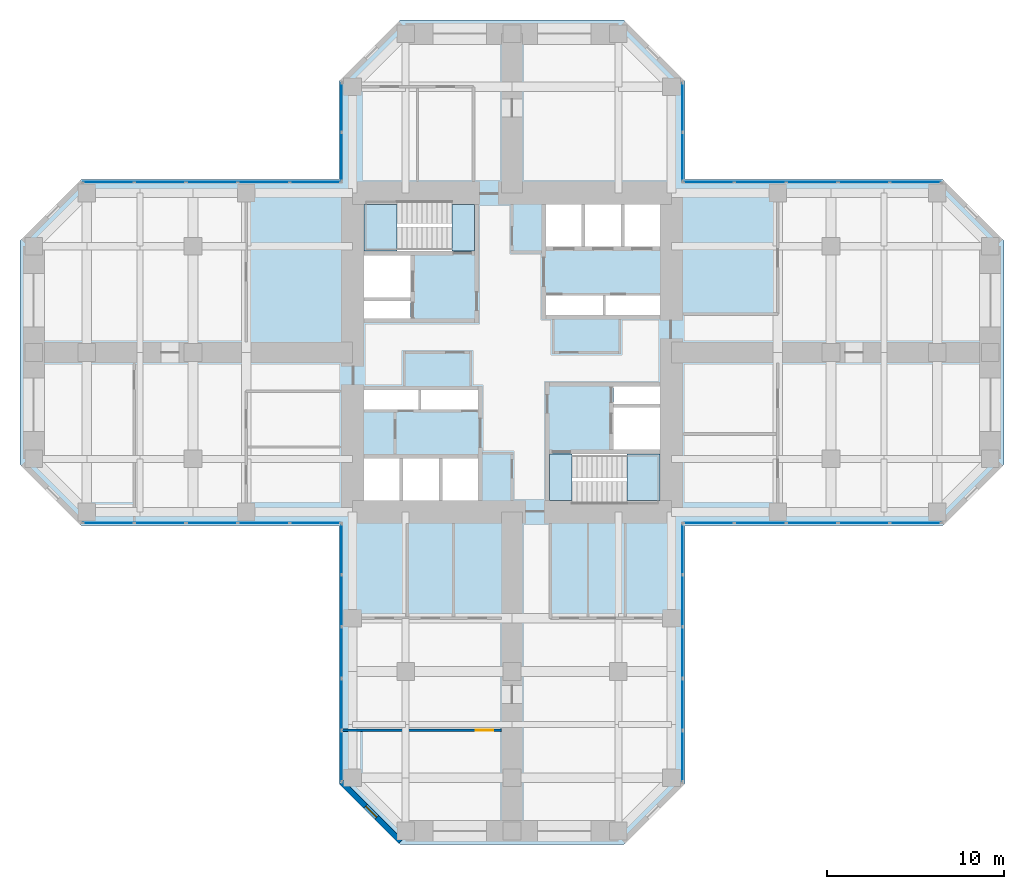
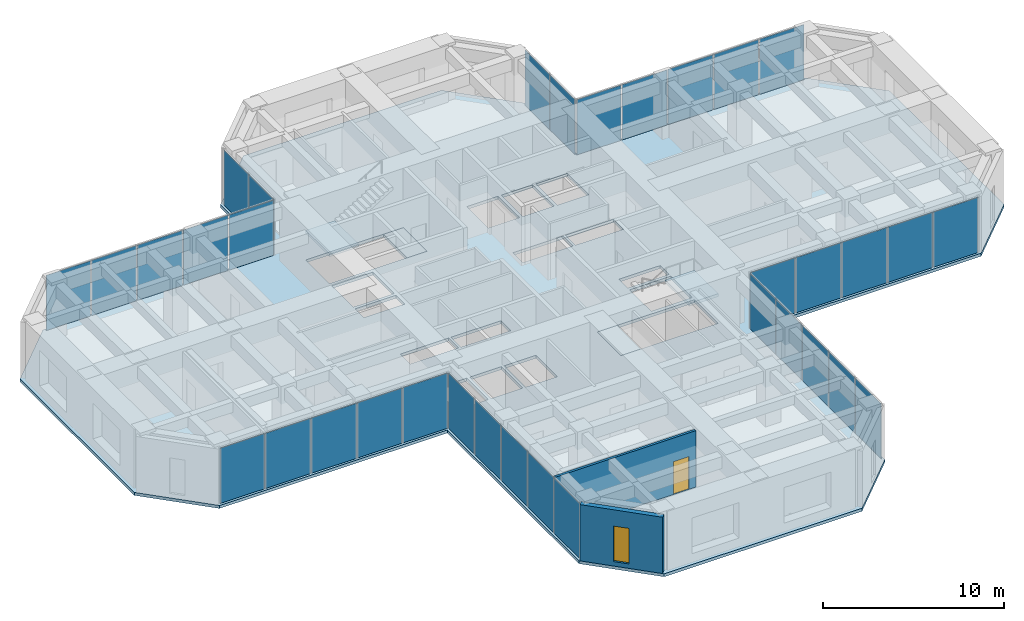
# One storey, part 7 of 12: 34 plates, 5 slabs, 2 walls, 1 door, 1 window, 2 openings, 10 elements without a shape of their own.
"""IFC4 building model written with IfcOpenShell, lengths in metres."""

from ifc_helpers import new_model, si_unit, direction, frame, frame_2d, origin, origin_2d, place, context, subcontext, project, spatial, polyline, rectangle, hollow_rectangle, outline, extrude, material, layer, layer_set, constituent, constituent_set, type_object, element, fill, aggregate, save


model = new_model("IFC4")

# Units and contexts
model_context = context("Model", 3, precision=1e-05, world=origin(), true_north=direction((0.0, 1.0)))
body_context = subcontext(model_context, "Body", "Model", "MODEL_VIEW")
ifc_project = project(units=[si_unit("LENGTHUNIT", "METRE"), si_unit("AREAUNIT", "SQUARE_METRE"), si_unit("VOLUMEUNIT", "CUBIC_METRE"), si_unit("PLANEANGLEUNIT", "RADIAN"), si_unit("MASSUNIT", "GRAM", prefix="KILO")], contexts=[model_context])

# Site, building, storey
site_placement = place(None, origin())
site = spatial("IfcSite", under=ifc_project, at=site_placement, CompositionType="ELEMENT")
building_placement = place(site_placement, origin())
building = spatial("IfcBuilding", under=site, at=building_placement, Name="Torre Cruceta", CompositionType="ELEMENT")
storey_placement = place(building_placement, frame((0.0, 0.0, 140.5)))
storey = spatial("IfcBuildingStorey", under=building, at=storey_placement, Name="L34", CompositionType="ELEMENT", Elevation=140.5)

# Curtain wall, plate
ifc_material_1 = material(Name="Aluminium unitised curtain wall", Category="aluminium")
curtain_wall_type = type_object("IfcCurtainWallType", Name="CURTAIN WALL CW-B OFFICE MID RISE", PredefinedType="USERDEFINED", material=ifc_material_1)
curtain_wall_1_placement = place(storey_placement, origin())
curtain_wall_1 = element("IfcCurtainWall", 1, at=curtain_wall_1_placement, inside=storey, type_object=curtain_wall_type, Name="CW-B L34 E side 00", ObjectType="UNITISED", PredefinedType="USERDEFINED")
ifc_material_2 = material(Name="Laminated insulating glass unit, low-iron clear", Category="glass")
ifc_material_3 = material(Name="Laminated insulating glass unit, diagonal frit 50 %", Category="glass")
ifc_layer_1 = layer(ifc_material_3, 0.031982421875)
ifc_layer_set_1 = layer_set([ifc_layer_1], Name="Laminated insulating glass unit, diagonal frit 50 %")
plate_type_1 = type_object("IfcPlateType", Name="CW-B OPERABLE VENT PANEL 32", PredefinedType="CURTAIN_PANEL", material=ifc_layer_set_1)
plate_1_placement = place(storey_placement, frame((16.9384765625, -9.6201171875, 0.010009765625), z_axis=(0.0, 0.0, 1.0), x_axis=(1.0, 0.0, 0.0)))
plate_1 = element("IfcPlate", 2, at=plate_1_placement, type_object=plate_type_1, material=ifc_material_2, Name="CW-B vent 3", PredefinedType="CURTAIN_PANEL", context=body_context, shape_type="SweptSolid", body=[
    extrude(rectangle(XDim=2.8623046875, YDim=0.031982421875, at=origin_2d()), origin(), (0.0, 0.0, 1.0), 3.72509765625),
])

curtain_wall_2_placement = place(storey_placement, origin())
curtain_wall_2 = element("IfcCurtainWall", 3, at=curtain_wall_2_placement, inside=storey, type_object=curtain_wall_type, Name="CW-B L34 E side 04", ObjectType="UNITISED", PredefinedType="USERDEFINED")
plate_2_placement = place(storey_placement, frame((16.9384765625, 9.6201171875, 0.010009765625), z_axis=(0.0, 0.0, 1.0), x_axis=(-1.0, 0.0, 0.0)))
plate_2 = element("IfcPlate", 4, at=plate_2_placement, type_object=plate_type_1, material=ifc_material_2, Name="CW-B vent 3", PredefinedType="CURTAIN_PANEL", context=body_context, shape_type="SweptSolid", body=[
    extrude(rectangle(XDim=2.8623046875, YDim=0.031982421875, at=origin_2d()), origin(), (0.0, 0.0, 1.0), 3.72509765625),
])

curtain_wall_3_placement = place(storey_placement, origin())
curtain_wall_3 = element("IfcCurtainWall", 5, at=curtain_wall_3_placement, inside=storey, type_object=curtain_wall_type, Name="CW-B L34 W side 10", ObjectType="UNITISED", PredefinedType="USERDEFINED")
plate_3_placement = place(storey_placement, frame((-16.9384765625, 9.6201171875, 0.010009765625), z_axis=(0.0, 0.0, 1.0), x_axis=(-1.0, 0.0, 0.0)))
plate_3 = element("IfcPlate", 6, at=plate_3_placement, type_object=plate_type_1, material=ifc_material_2, Name="CW-B vent 3", PredefinedType="CURTAIN_PANEL", context=body_context, shape_type="SweptSolid", body=[
    extrude(rectangle(XDim=2.8623046875, YDim=0.031982421875, at=origin_2d()), origin(), (0.0, 0.0, 1.0), 3.72509765625),
])

curtain_wall_4_placement = place(storey_placement, origin())
curtain_wall_4 = element("IfcCurtainWall", 7, at=curtain_wall_4_placement, inside=storey, type_object=curtain_wall_type, Name="CW-B L34 W side 14", ObjectType="UNITISED", PredefinedType="USERDEFINED")
plate_4_placement = place(storey_placement, frame((-16.9384765625, -9.6201171875, 0.010009765625), z_axis=(0.0, 0.0, 1.0), x_axis=(1.0, 0.0, 0.0)))
plate_4 = element("IfcPlate", 8, at=plate_4_placement, type_object=plate_type_1, material=ifc_material_2, Name="CW-B vent 3", PredefinedType="CURTAIN_PANEL", context=body_context, shape_type="SweptSolid", body=[
    extrude(rectangle(XDim=2.8623046875, YDim=0.031982421875, at=origin_2d()), origin(), (0.0, 0.0, 1.0), 3.72509765625),
])

curtain_wall_5_placement = place(storey_placement, origin())
curtain_wall_5 = element("IfcCurtainWall", 9, at=curtain_wall_5_placement, inside=storey, type_object=curtain_wall_type, Name="CW-B L34 S side 15", ObjectType="UNITISED", PredefinedType="USERDEFINED")
plate_5_placement = place(storey_placement, frame((-9.6201171875, -16.9384765625, 0.010009765625), z_axis=(0.0, 0.0, 1.0), x_axis=(0.0, -1.0, 0.0)))
plate_5 = element("IfcPlate", 10, at=plate_5_placement, type_object=plate_type_1, material=ifc_material_2, Name="CW-B vent 3", PredefinedType="CURTAIN_PANEL", context=body_context, shape_type="SweptSolid", body=[
    extrude(rectangle(XDim=2.8623046875, YDim=0.031982421875, at=origin_2d()), origin(), (0.0, 0.0, 1.0), 3.72509765625),
])

curtain_wall_6_placement = place(storey_placement, origin())
curtain_wall_6 = element("IfcCurtainWall", 11, at=curtain_wall_6_placement, inside=storey, type_object=curtain_wall_type, Name="CW-B L34 S side 19", ObjectType="UNITISED", PredefinedType="USERDEFINED")
plate_6_placement = place(storey_placement, frame((9.6201171875, -16.9384765625, 0.010009765625), z_axis=(0.0, 0.0, 1.0), x_axis=(0.0, 1.0, 0.0)))
plate_6 = element("IfcPlate", 12, at=plate_6_placement, type_object=plate_type_1, material=ifc_material_2, Name="CW-B vent 3", PredefinedType="CURTAIN_PANEL", context=body_context, shape_type="SweptSolid", body=[
    extrude(rectangle(XDim=2.8623046875, YDim=0.031982421875, at=origin_2d()), origin(), (0.0, 0.0, 1.0), 3.72509765625),
])

# Plate
ifc_material_4 = material(Name="Laminated insulating glass unit, diagonal frit 50 %", Category="glass")
ifc_material_5 = material(Name="Laminated insulating glass unit, diagonal frit 50 %", Category="glass")
ifc_layer_2 = layer(ifc_material_5, 0.031982421875)
ifc_layer_set_2 = layer_set([ifc_layer_2], Name="Laminated insulating glass unit, diagonal frit 50 %")
plate_type_2 = type_object("IfcPlateType", Name="CW-B PANEL 32", PredefinedType="CURTAIN_PANEL", material=ifc_layer_set_2)
plate_7_placement = place(storey_placement, frame((11.099853515625, -9.6201171875, 0.010009765625), z_axis=(0.0, 0.0, 1.0), x_axis=(1.0, 0.0, 0.0)))
plate_7 = element("IfcPlate", 13, at=plate_7_placement, type_object=plate_type_2, material=ifc_material_4, Name="CW-B panel 1", PredefinedType="CURTAIN_PANEL", context=body_context, shape_type="SweptSolid", body=[
    extrude(rectangle(XDim=2.829833984375, YDim=0.031982421875, at=origin_2d()), origin(), (0.0, 0.0, 1.0), 3.72509765625),
])

plate_8_placement = place(storey_placement, frame((14.010986328125, -9.6201171875, 0.010009765625), z_axis=(0.0, 0.0, 1.0), x_axis=(1.0, 0.0, 0.0)))
plate_8 = element("IfcPlate", 14, at=plate_8_placement, type_object=plate_type_2, material=ifc_material_4, Name="CW-B panel 2", PredefinedType="CURTAIN_PANEL", context=body_context, shape_type="SweptSolid", body=[
    extrude(rectangle(XDim=2.8623046875, YDim=0.031982421875, at=origin_2d()), origin(), (0.0, 0.0, 1.0), 3.72509765625),
])

plate_9_placement = place(storey_placement, frame((19.86572265625, -9.6201171875, 0.010009765625), z_axis=(0.0, 0.0, 1.0), x_axis=(1.0, 0.0, 0.0)))
plate_9 = element("IfcPlate", 15, at=plate_9_placement, type_object=plate_type_2, material=ifc_material_2, Name="CW-B panel 4", PredefinedType="CURTAIN_PANEL", context=body_context, shape_type="SweptSolid", body=[
    extrude(rectangle(XDim=2.8623046875, YDim=0.031982421875, at=origin_2d()), origin(), (0.0, 0.0, 1.0), 3.72509765625),
])

plate_10_placement = place(storey_placement, frame((22.77685546875, -9.6201171875, 0.010009765625), z_axis=(0.0, 0.0, 1.0), x_axis=(1.0, 0.0, 0.0)))
plate_10 = element("IfcPlate", 16, at=plate_10_placement, type_object=plate_type_2, material=ifc_material_4, Name="CW-B panel 5", PredefinedType="CURTAIN_PANEL", context=body_context, shape_type="SweptSolid", body=[
    extrude(rectangle(XDim=2.829833984375, YDim=0.031982421875, at=origin_2d()), origin(), (0.0, 0.0, 1.0), 3.72509765625),
])

aggregate(curtain_wall_1, [plate_7, plate_8, plate_1, plate_9, plate_10])

plate_11_placement = place(storey_placement, frame((22.77685546875, 9.6201171875, 0.010009765625), z_axis=(0.0, 0.0, 1.0), x_axis=(-1.0, 0.0, 0.0)))
plate_11 = element("IfcPlate", 17, at=plate_11_placement, type_object=plate_type_2, material=ifc_material_4, Name="CW-B panel 1", PredefinedType="CURTAIN_PANEL", context=body_context, shape_type="SweptSolid", body=[
    extrude(rectangle(XDim=2.829833984375, YDim=0.031982421875, at=origin_2d()), origin(), (0.0, 0.0, 1.0), 3.72509765625),
])

plate_12_placement = place(storey_placement, frame((19.86572265625, 9.6201171875, 0.010009765625), z_axis=(0.0, 0.0, 1.0), x_axis=(-1.0, 0.0, 0.0)))
plate_12 = element("IfcPlate", 18, at=plate_12_placement, type_object=plate_type_2, material=ifc_material_4, Name="CW-B panel 2", PredefinedType="CURTAIN_PANEL", context=body_context, shape_type="SweptSolid", body=[
    extrude(rectangle(XDim=2.8623046875, YDim=0.031982421875, at=origin_2d()), origin(), (0.0, 0.0, 1.0), 3.72509765625),
])

plate_13_placement = place(storey_placement, frame((14.010986328125, 9.6201171875, 0.010009765625), z_axis=(0.0, 0.0, 1.0), x_axis=(-1.0, 0.0, 0.0)))
plate_13 = element("IfcPlate", 19, at=plate_13_placement, type_object=plate_type_2, material=ifc_material_2, Name="CW-B panel 4", PredefinedType="CURTAIN_PANEL", context=body_context, shape_type="SweptSolid", body=[
    extrude(rectangle(XDim=2.8623046875, YDim=0.031982421875, at=origin_2d()), origin(), (0.0, 0.0, 1.0), 3.72509765625),
])

plate_14_placement = place(storey_placement, frame((11.099853515625, 9.6201171875, 0.010009765625), z_axis=(0.0, 0.0, 1.0), x_axis=(-1.0, 0.0, 0.0)))
plate_14 = element("IfcPlate", 20, at=plate_14_placement, type_object=plate_type_2, material=ifc_material_4, Name="CW-B panel 5", PredefinedType="CURTAIN_PANEL", context=body_context, shape_type="SweptSolid", body=[
    extrude(rectangle(XDim=2.829833984375, YDim=0.031982421875, at=origin_2d()), origin(), (0.0, 0.0, 1.0), 3.72509765625),
])

aggregate(curtain_wall_2, [plate_11, plate_12, plate_2, plate_13, plate_14])

# Curtain wall, plates
curtain_wall_7_placement = place(storey_placement, origin())
curtain_wall_7 = element("IfcCurtainWall", 21, at=curtain_wall_7_placement, inside=storey, type_object=curtain_wall_type, Name="CW-B L34 N side 05", ObjectType="UNITISED", PredefinedType="USERDEFINED")
plate_15_placement = place(storey_placement, frame((9.6201171875, 11.04541015625, 0.010009765625), z_axis=(0.0, 0.0, 1.0), x_axis=(0.0, 1.0, 0.0)))
plate_15 = element("IfcPlate", 22, at=plate_15_placement, type_object=plate_type_2, material=ifc_material_4, Name="CW-B panel 1", PredefinedType="CURTAIN_PANEL", context=body_context, shape_type="SweptSolid", body=[
    extrude(rectangle(XDim=2.720947265625, YDim=0.031982421875, at=origin_2d()), origin(), (0.0, 0.0, 1.0), 3.72509765625),
])
plate_16_placement = place(storey_placement, frame((9.6201171875, 13.831298828125, 0.010009765625), z_axis=(0.0, 0.0, 1.0), x_axis=(0.0, 1.0, 0.0)))
plate_16 = element("IfcPlate", 23, at=plate_16_placement, type_object=plate_type_2, material=ifc_material_4, Name="CW-B panel 2", PredefinedType="CURTAIN_PANEL", context=body_context, shape_type="SweptSolid", body=[
    extrude(rectangle(XDim=2.720947265625, YDim=0.031982421875, at=origin_2d()), origin(), (0.0, 0.0, 1.0), 3.72509765625),
])
aggregate(curtain_wall_7, [plate_15, plate_16])

curtain_wall_8_placement = place(storey_placement, origin())
curtain_wall_8 = element("IfcCurtainWall", 24, at=curtain_wall_8_placement, inside=storey, type_object=curtain_wall_type, Name="CW-B L34 N side 09", ObjectType="UNITISED", PredefinedType="USERDEFINED")
plate_17_placement = place(storey_placement, frame((-9.6201171875, 13.831298828125, 0.010009765625), z_axis=(0.0, 0.0, 1.0), x_axis=(0.0, -1.0, 0.0)))
plate_17 = element("IfcPlate", 25, at=plate_17_placement, type_object=plate_type_2, material=ifc_material_4, Name="CW-B panel 1", PredefinedType="CURTAIN_PANEL", context=body_context, shape_type="SweptSolid", body=[
    extrude(rectangle(XDim=2.720947265625, YDim=0.031982421875, at=origin_2d()), origin(), (0.0, 0.0, 1.0), 3.72509765625),
])
plate_18_placement = place(storey_placement, frame((-9.6201171875, 11.04541015625, 0.010009765625), z_axis=(0.0, 0.0, 1.0), x_axis=(0.0, -1.0, 0.0)))
plate_18 = element("IfcPlate", 26, at=plate_18_placement, type_object=plate_type_2, material=ifc_material_4, Name="CW-B panel 2", PredefinedType="CURTAIN_PANEL", context=body_context, shape_type="SweptSolid", body=[
    extrude(rectangle(XDim=2.720947265625, YDim=0.031982421875, at=origin_2d()), origin(), (0.0, 0.0, 1.0), 3.72509765625),
])
aggregate(curtain_wall_8, [plate_17, plate_18])

# Plate
plate_19_placement = place(storey_placement, frame((-11.099853515625, 9.6201171875, 0.010009765625), z_axis=(0.0, 0.0, 1.0), x_axis=(-1.0, 0.0, 0.0)))
plate_19 = element("IfcPlate", 27, at=plate_19_placement, type_object=plate_type_2, material=ifc_material_4, Name="CW-B panel 1", PredefinedType="CURTAIN_PANEL", context=body_context, shape_type="SweptSolid", body=[
    extrude(rectangle(XDim=2.829833984375, YDim=0.031982421875, at=origin_2d()), origin(), (0.0, 0.0, 1.0), 3.72509765625),
])

plate_20_placement = place(storey_placement, frame((-14.010986328125, 9.6201171875, 0.010009765625), z_axis=(0.0, 0.0, 1.0), x_axis=(-1.0, 0.0, 0.0)))
plate_20 = element("IfcPlate", 28, at=plate_20_placement, type_object=plate_type_2, material=ifc_material_4, Name="CW-B panel 2", PredefinedType="CURTAIN_PANEL", context=body_context, shape_type="SweptSolid", body=[
    extrude(rectangle(XDim=2.8623046875, YDim=0.031982421875, at=origin_2d()), origin(), (0.0, 0.0, 1.0), 3.72509765625),
])

plate_21_placement = place(storey_placement, frame((-19.86572265625, 9.6201171875, 0.010009765625), z_axis=(0.0, 0.0, 1.0), x_axis=(-1.0, 0.0, 0.0)))
plate_21 = element("IfcPlate", 29, at=plate_21_placement, type_object=plate_type_2, material=ifc_material_2, Name="CW-B panel 4", PredefinedType="CURTAIN_PANEL", context=body_context, shape_type="SweptSolid", body=[
    extrude(rectangle(XDim=2.8623046875, YDim=0.031982421875, at=origin_2d()), origin(), (0.0, 0.0, 1.0), 3.72509765625),
])

plate_22_placement = place(storey_placement, frame((-22.77685546875, 9.6201171875, 0.010009765625), z_axis=(0.0, 0.0, 1.0), x_axis=(-1.0, 0.0, 0.0)))
plate_22 = element("IfcPlate", 30, at=plate_22_placement, type_object=plate_type_2, material=ifc_material_4, Name="CW-B panel 5", PredefinedType="CURTAIN_PANEL", context=body_context, shape_type="SweptSolid", body=[
    extrude(rectangle(XDim=2.829833984375, YDim=0.031982421875, at=origin_2d()), origin(), (0.0, 0.0, 1.0), 3.72509765625),
])

aggregate(curtain_wall_3, [plate_19, plate_20, plate_3, plate_21, plate_22])

plate_23_placement = place(storey_placement, frame((-22.77685546875, -9.6201171875, 0.010009765625), z_axis=(0.0, 0.0, 1.0), x_axis=(1.0, 0.0, 0.0)))
plate_23 = element("IfcPlate", 31, at=plate_23_placement, type_object=plate_type_2, material=ifc_material_4, Name="CW-B panel 1", PredefinedType="CURTAIN_PANEL", context=body_context, shape_type="SweptSolid", body=[
    extrude(rectangle(XDim=2.829833984375, YDim=0.031982421875, at=origin_2d()), origin(), (0.0, 0.0, 1.0), 3.72509765625),
])

plate_24_placement = place(storey_placement, frame((-19.86572265625, -9.6201171875, 0.010009765625), z_axis=(0.0, 0.0, 1.0), x_axis=(1.0, 0.0, 0.0)))
plate_24 = element("IfcPlate", 32, at=plate_24_placement, type_object=plate_type_2, material=ifc_material_4, Name="CW-B panel 2", PredefinedType="CURTAIN_PANEL", context=body_context, shape_type="SweptSolid", body=[
    extrude(rectangle(XDim=2.8623046875, YDim=0.031982421875, at=origin_2d()), origin(), (0.0, 0.0, 1.0), 3.72509765625),
])

plate_25_placement = place(storey_placement, frame((-14.010986328125, -9.6201171875, 0.010009765625), z_axis=(0.0, 0.0, 1.0), x_axis=(1.0, 0.0, 0.0)))
plate_25 = element("IfcPlate", 33, at=plate_25_placement, type_object=plate_type_2, material=ifc_material_2, Name="CW-B panel 4", PredefinedType="CURTAIN_PANEL", context=body_context, shape_type="SweptSolid", body=[
    extrude(rectangle(XDim=2.8623046875, YDim=0.031982421875, at=origin_2d()), origin(), (0.0, 0.0, 1.0), 3.72509765625),
])

plate_26_placement = place(storey_placement, frame((-11.099853515625, -9.6201171875, 0.010009765625), z_axis=(0.0, 0.0, 1.0), x_axis=(1.0, 0.0, 0.0)))
plate_26 = element("IfcPlate", 34, at=plate_26_placement, type_object=plate_type_2, material=ifc_material_4, Name="CW-B panel 5", PredefinedType="CURTAIN_PANEL", context=body_context, shape_type="SweptSolid", body=[
    extrude(rectangle(XDim=2.829833984375, YDim=0.031982421875, at=origin_2d()), origin(), (0.0, 0.0, 1.0), 3.72509765625),
])

aggregate(curtain_wall_4, [plate_23, plate_24, plate_4, plate_25, plate_26])

plate_27_placement = place(storey_placement, frame((-9.6201171875, -11.099853515625, 0.010009765625), z_axis=(0.0, 0.0, 1.0), x_axis=(0.0, -1.0, 0.0)))
plate_27 = element("IfcPlate", 35, at=plate_27_placement, type_object=plate_type_2, material=ifc_material_4, Name="CW-B panel 1", PredefinedType="CURTAIN_PANEL", context=body_context, shape_type="SweptSolid", body=[
    extrude(rectangle(XDim=2.829833984375, YDim=0.031982421875, at=origin_2d()), origin(), (0.0, 0.0, 1.0), 3.72509765625),
])

plate_28_placement = place(storey_placement, frame((-9.6201171875, -14.010986328125, 0.010009765625), z_axis=(0.0, 0.0, 1.0), x_axis=(0.0, -1.0, 0.0)))
plate_28 = element("IfcPlate", 36, at=plate_28_placement, type_object=plate_type_2, material=ifc_material_4, Name="CW-B panel 2", PredefinedType="CURTAIN_PANEL", context=body_context, shape_type="SweptSolid", body=[
    extrude(rectangle(XDim=2.8623046875, YDim=0.031982421875, at=origin_2d()), origin(), (0.0, 0.0, 1.0), 3.72509765625),
])

plate_29_placement = place(storey_placement, frame((-9.6201171875, -19.86572265625, 0.010009765625), z_axis=(0.0, 0.0, 1.0), x_axis=(0.0, -1.0, 0.0)))
plate_29 = element("IfcPlate", 37, at=plate_29_placement, type_object=plate_type_2, material=ifc_material_2, Name="CW-B panel 4", PredefinedType="CURTAIN_PANEL", context=body_context, shape_type="SweptSolid", body=[
    extrude(rectangle(XDim=2.8623046875, YDim=0.031982421875, at=origin_2d()), origin(), (0.0, 0.0, 1.0), 3.72509765625),
])

plate_30_placement = place(storey_placement, frame((-9.6201171875, -22.77685546875, 0.010009765625), z_axis=(0.0, 0.0, 1.0), x_axis=(0.0, -1.0, 0.0)))
plate_30 = element("IfcPlate", 38, at=plate_30_placement, type_object=plate_type_2, material=ifc_material_4, Name="CW-B panel 5", PredefinedType="CURTAIN_PANEL", context=body_context, shape_type="SweptSolid", body=[
    extrude(rectangle(XDim=2.829833984375, YDim=0.031982421875, at=origin_2d()), origin(), (0.0, 0.0, 1.0), 3.72509765625),
])

aggregate(curtain_wall_5, [plate_27, plate_28, plate_5, plate_29, plate_30])

plate_31_placement = place(storey_placement, frame((9.6201171875, -22.77685546875, 0.010009765625), z_axis=(0.0, 0.0, 1.0), x_axis=(0.0, 1.0, 0.0)))
plate_31 = element("IfcPlate", 39, at=plate_31_placement, type_object=plate_type_2, material=ifc_material_4, Name="CW-B panel 1", PredefinedType="CURTAIN_PANEL", context=body_context, shape_type="SweptSolid", body=[
    extrude(rectangle(XDim=2.829833984375, YDim=0.031982421875, at=origin_2d()), origin(), (0.0, 0.0, 1.0), 3.72509765625),
])

plate_32_placement = place(storey_placement, frame((9.6201171875, -19.86572265625, 0.010009765625), z_axis=(0.0, 0.0, 1.0), x_axis=(0.0, 1.0, 0.0)))
plate_32 = element("IfcPlate", 40, at=plate_32_placement, type_object=plate_type_2, material=ifc_material_4, Name="CW-B panel 2", PredefinedType="CURTAIN_PANEL", context=body_context, shape_type="SweptSolid", body=[
    extrude(rectangle(XDim=2.8623046875, YDim=0.031982421875, at=origin_2d()), origin(), (0.0, 0.0, 1.0), 3.72509765625),
])

plate_33_placement = place(storey_placement, frame((9.6201171875, -14.010986328125, 0.010009765625), z_axis=(0.0, 0.0, 1.0), x_axis=(0.0, 1.0, 0.0)))
plate_33 = element("IfcPlate", 41, at=plate_33_placement, type_object=plate_type_2, material=ifc_material_2, Name="CW-B panel 4", PredefinedType="CURTAIN_PANEL", context=body_context, shape_type="SweptSolid", body=[
    extrude(rectangle(XDim=2.8623046875, YDim=0.031982421875, at=origin_2d()), origin(), (0.0, 0.0, 1.0), 3.72509765625),
])

plate_34_placement = place(storey_placement, frame((9.6201171875, -11.099853515625, 0.010009765625), z_axis=(0.0, 0.0, 1.0), x_axis=(0.0, 1.0, 0.0)))
plate_34 = element("IfcPlate", 42, at=plate_34_placement, type_object=plate_type_2, material=ifc_material_4, Name="CW-B panel 5", PredefinedType="CURTAIN_PANEL", context=body_context, shape_type="SweptSolid", body=[
    extrude(rectangle(XDim=2.829833984375, YDim=0.031982421875, at=origin_2d()), origin(), (0.0, 0.0, 1.0), 3.72509765625),
])

aggregate(curtain_wall_6, [plate_31, plate_32, plate_6, plate_33, plate_34])

# Slab
ifc_material_6 = material(Name="Concrete G35 (fck 35 MPa)", Category="concrete")
ifc_layer_3 = layer(ifc_material_6, 0.199951171875)
ifc_layer_set_3 = layer_set([ifc_layer_3], Name="Concrete G35 (fck 35 MPa)")
slab_type_1 = type_object("IfcSlabType", Name="FLOOR SLAB 200", PredefinedType="FLOOR", material=ifc_layer_set_3)
slab_1_placement = place(storey_placement, frame((0.0, 0.0, -0.199951171875)))
element("IfcSlab", 43, at=slab_1_placement, inside=storey, type_object=slab_type_1, Name="Floor Slab L34", PredefinedType="FLOOR", context=body_context, shape_type="SweptSolid", body=[
    extrude(outline(polyline([(9.77001953125, -9.77001953125), (9.77001953125, -24.31884765625), (6.31884765625, -27.77001953125), (-6.31884765625, -27.77001953125), (-9.77001953125, -24.31884765625), (-9.77001953125, -9.77001953125), (-24.31884765625, -9.77001953125), (-27.77001953125, -6.31884765625), (-27.77001953125, 6.31884765625), (-24.31884765625, 9.77001953125), (-9.77001953125, 9.77001953125), (-9.77001953125, 15.31884765625), (-6.31884765625, 18.77001953125), (6.31884765625, 18.77001953125), (9.77001953125, 15.31884765625), (9.77001953125, 9.77001953125), (24.31884765625, 9.77001953125), (27.77001953125, 6.31884765625), (27.77001953125, -6.31884765625), (24.31884765625, -9.77001953125), (9.77001953125, -9.77001953125)]), holes=[polyline([(1.925048828125, 5.97509765625), (3.933349609375, 5.97509765625), (3.933349609375, 8.35009765625), (1.925048828125, 8.35009765625), (1.925048828125, 5.97509765625)]), polyline([(4.13330078125, 5.97509765625), (6.1416015625, 5.97509765625), (6.1416015625, 8.35009765625), (4.13330078125, 8.35009765625), (4.13330078125, 5.97509765625)]), polyline([(6.341552734375, 5.97509765625), (8.35009765625, 5.97509765625), (8.35009765625, 8.35009765625), (6.341552734375, 8.35009765625), (6.341552734375, 5.97509765625)]), polyline([(1.925048828125, 2.125), (5.125, 2.125), (5.125, 3.22509765625), (1.925048828125, 3.22509765625), (1.925048828125, 2.125)]), polyline([(5.27490234375, 2.125), (8.35009765625, 2.125), (8.35009765625, 3.22509765625), (5.27490234375, 3.22509765625), (5.27490234375, 2.125)]), polyline([(-8.35009765625, 3.10009765625), (-5.72509765625, 3.10009765625), (-5.72509765625, 5.47509765625), (-8.35009765625, 5.47509765625), (-8.35009765625, 3.10009765625)]), polyline([(-8.35009765625, 1.925048828125), (-5.72509765625, 1.925048828125), (-5.72509765625, 2.89990234375), (-8.35009765625, 2.89990234375), (-8.35009765625, 1.925048828125)]), polyline([(-3.933349609375, -8.35009765625), (-1.925048828125, -8.35009765625), (-1.925048828125, -5.97509765625), (-3.933349609375, -5.97509765625), (-3.933349609375, -8.35009765625)]), polyline([(-6.1416015625, -8.35009765625), (-4.13330078125, -8.35009765625), (-4.13330078125, -5.97509765625), (-6.1416015625, -5.97509765625), (-6.1416015625, -8.35009765625)]), polyline([(-8.35009765625, -8.35009765625), (-6.341552734375, -8.35009765625), (-6.341552734375, -5.97509765625), (-8.35009765625, -5.97509765625), (-8.35009765625, -8.35009765625)]), polyline([(-5.125, -3.22509765625), (-1.925048828125, -3.22509765625), (-1.925048828125, -2.125), (-5.125, -2.125), (-5.125, -3.22509765625)]), polyline([(-8.35009765625, -3.22509765625), (-5.27490234375, -3.22509765625), (-5.27490234375, -2.125), (-8.35009765625, -2.125), (-8.35009765625, -3.22509765625)]), polyline([(5.72509765625, -5.47509765625), (8.35009765625, -5.47509765625), (8.35009765625, -3.10009765625), (5.72509765625, -3.10009765625), (5.72509765625, -5.47509765625)]), polyline([(5.72509765625, -2.89990234375), (8.35009765625, -2.89990234375), (8.35009765625, -1.925048828125), (5.72509765625, -1.925048828125), (5.72509765625, -2.89990234375)]), polyline([(-8.35009765625, 5.72509765625), (-8.35009765625, 8.35009765625), (-3.39990234375, 8.35009765625), (-2.125, 8.35009765625), (-2.125, 5.72509765625), (-3.39990234375, 5.72509765625), (-8.35009765625, 5.72509765625)]), polyline([(2.125, -5.72509765625), (3.39990234375, -5.72509765625), (8.35009765625, -5.72509765625), (8.35009765625, -8.35009765625), (3.39990234375, -8.35009765625), (2.125, -8.35009765625), (2.125, -5.72509765625)])]), origin(), (0.0, 0.0, 1.0), 0.199951171875),
])

# Stair, slab
ifc_material_7 = material(Name="Concrete G30 (fck 30 MPa)", Category="concrete")
stair_type = type_object("IfcStairType", Name="STAIR HALF-TURN 1300", PredefinedType="HALF_TURN_STAIR", material=ifc_material_7)
stair_1_placement = place(storey_placement, origin())
stair_1 = element("IfcStair", 44, at=stair_1_placement, inside=storey, type_object=stair_type, Name="Stair ST1 L34", PredefinedType="HALF_TURN_STAIR")
ifc_material_8 = material(Name="Concrete G30 (fck 30 MPa)", Category="concrete")
ifc_layer_4 = layer(ifc_material_8, 0.199951171875)
ifc_layer_set_4 = layer_set([ifc_layer_4], Name="Concrete G30 (fck 30 MPa)")
slab_type_2 = type_object("IfcSlabType", Name="STAIR LANDING 200", PredefinedType="LANDING", material=ifc_layer_set_4)
slab_2_placement = place(storey_placement, frame((0.0, 0.0, 1.800048828125)))
slab_2 = element("IfcSlab", 45, at=slab_2_placement, type_object=slab_type_2, Name="ST1 landing 1", PredefinedType="LANDING", context=body_context, shape_type="SweptSolid", body=[
    extrude(outline(polyline([(-8.35009765625, 5.72509765625), (-6.47998046875, 5.72509765625), (-6.47998046875, 8.35009765625), (-8.35009765625, 8.35009765625), (-8.35009765625, 5.72509765625)])), origin(), (0.0, 0.0, 1.0), 0.199951171875),
])
aggregate(stair_1, [slab_2])

stair_2_placement = place(storey_placement, origin())
stair_2 = element("IfcStair", 46, at=stair_2_placement, inside=storey, type_object=stair_type, Name="Stair ST2 L34", PredefinedType="HALF_TURN_STAIR")
slab_3_placement = place(storey_placement, frame((0.0, 0.0, 1.800048828125)))
slab_3 = element("IfcSlab", 47, at=slab_3_placement, type_object=slab_type_2, Name="ST2 landing 1", PredefinedType="LANDING", context=body_context, shape_type="SweptSolid", body=[
    extrude(outline(polyline([(6.47998046875, -8.35009765625), (8.35009765625, -8.35009765625), (8.35009765625, -5.72509765625), (6.47998046875, -5.72509765625), (6.47998046875, -8.35009765625)])), origin(), (0.0, 0.0, 1.0), 0.199951171875),
])
aggregate(stair_2, [slab_3])

# Slabs
slab_4_placement = place(storey_placement, frame((0.0, 0.0, -0.199951171875)))
element("IfcSlab", 48, at=slab_4_placement, inside=storey, type_object=slab_type_2, Name="Stair ST1 floor landing L34", PredefinedType="LANDING", context=body_context, shape_type="SweptSolid", body=[
    extrude(outline(polyline([(-2.125, 8.35009765625), (-2.125, 5.72509765625), (-3.39990234375, 5.72509765625), (-3.39990234375, 8.35009765625), (-2.125, 8.35009765625)])), origin(), (0.0, 0.0, 1.0), 0.199951171875),
])
slab_5_placement = place(storey_placement, frame((0.0, 0.0, -0.199951171875)))
element("IfcSlab", 49, at=slab_5_placement, inside=storey, type_object=slab_type_2, Name="Stair ST2 floor landing L34", PredefinedType="LANDING", context=body_context, shape_type="SweptSolid", body=[
    extrude(outline(polyline([(2.125, -8.35009765625), (2.125, -5.72509765625), (3.39990234375, -5.72509765625), (3.39990234375, -8.35009765625), (2.125, -8.35009765625)])), origin(), (0.0, 0.0, 1.0), 0.199951171875),
])

# Wall, opening, window
ifc_material_9 = material(Name="Concrete G30 (fck 30 MPa)", Category="concrete")
ifc_layer_5 = layer(ifc_material_9, 0.300048828125)
ifc_layer_set_5 = layer_set([ifc_layer_5], Name="Concrete G30 (fck 30 MPa)")
wall_type_1 = type_object("IfcWallType", Name="EXPOSED CONCRETE FACADE WALL 300", PredefinedType="SOLIDWALL", material=ifc_layer_set_5)
wall_1_placement = place(storey_placement, frame((-9.6201171875, -24.2568359375, 0.0), z_axis=(0.0, 0.0, 1.0), x_axis=(0.707106781187, -0.707106781187, 0.0)))
wall_1 = element("IfcWall", 50, at=wall_1_placement, inside=storey, type_object=wall_type_1, Name="EW1 facade wall L34 S chamfer 16", PredefinedType="SOLIDWALL", context=body_context, shape_type="SweptSolid", body=[
    extrude(rectangle(XDim=4.72802734375, YDim=0.300048828125, at=frame_2d((2.364013671875, 0.0))), origin(), (0.0, 0.0, 1.0), 3.800048828125),
])
opening_1_placement = place(wall_1_placement, frame((1.9140625, 0.0, 0.300048828125)))
opening_1 = element("IfcOpeningElement", 51, at=opening_1_placement, cuts=wall_1, Name="Opening WN5", PredefinedType="OPENING", context=body_context, shape_type="SweptSolid", body=[
    extrude(rectangle(XDim=0.89990234375, YDim=2.39990234375, at=frame_2d((0.449951171875, 1.199951171875))), frame((0.0, 0.159912109375, 0.0), z_axis=(0.0, -1.0, 0.0), x_axis=(1.0, 0.0, 0.0)), (0.0, 0.0, 1.0), 0.320068359375),
])
ifc_material_10 = material(Name="Aluminium window frame", Category="aluminium")
ifc_constituent_1 = constituent(ifc_material_10, Name="Frame")
ifc_material_11 = material(Name="Laminated insulating glass unit, low-iron clear", Category="glass")
ifc_constituent_2 = constituent(ifc_material_11, Name="Glazing")
ifc_constituent_set_1 = constituent_set(constituents=[ifc_constituent_1, ifc_constituent_2], Name="Aluminium window")
window_type = type_object("IfcWindowType", Name="CHAMFER SLOT WINDOW 900X2400", PartitioningType="SINGLE_PANEL", PredefinedType="WINDOW", material=ifc_constituent_set_1)
window_placement = place(opening_1_placement, origin())
window = element("IfcWindow", 52, at=window_placement, inside=storey, type_object=window_type, Name="WN5 L34 S 1", OverallHeight=2.39990234375, OverallWidth=0.89990234375, PartitioningType="SINGLE_PANEL", PredefinedType="WINDOW", context=body_context, shape_type="SweptSolid", body=[
    extrude(hollow_rectangle(XDim=0.89990234375, YDim=2.39990234375, WallThickness=0.06005859375, at=frame_2d((0.449951171875, 1.199951171875))), frame((0.0, 0.030029296875, 0.0), z_axis=(0.0, -1.0, 0.0), x_axis=(1.0, 0.0, 0.0)), (0.0, 0.0, 1.0), 0.06005859375),
    extrude(rectangle(XDim=0.77880859375, YDim=2.27880859375, at=frame_2d((0.449951171875, 1.199951171875))), frame((0.0, 0.030029296875, 0.0), z_axis=(0.0, -1.0, 0.0), x_axis=(1.0, 0.0, 0.0)), (0.0, 0.0, 1.0), 0.06005859375),
])
fill(opening_1, window)

# Wall, opening, door
ifc_material_12 = material(Name="Plasterboard on steel studs", Category="steel")
ifc_layer_6 = layer(ifc_material_12, 0.14990234375)
ifc_layer_set_6 = layer_set([ifc_layer_6], Name="Plasterboard on steel studs")
wall_type_2 = type_object("IfcWallType", Name="PARTITION 150", PredefinedType="PARTITIONING", material=ifc_layer_set_6)
wall_2_placement = place(storey_placement, frame((-9.580078125, -21.320068359375, 0.0), z_axis=(0.0, 0.0, 1.0), x_axis=(1.0, 0.0, 0.0)))
wall_2 = element("IfcWall", 53, at=wall_2_placement, inside=storey, type_object=wall_type_2, Name="PT1 L34-S-TWR", PredefinedType="PARTITIONING", context=body_context, shape_type="SweptSolid", body=[
    extrude(rectangle(XDim=8.97998046875, YDim=0.14990234375, at=frame_2d((4.489990234375, 0.0))), origin(), (0.0, 0.0, 1.0), 3.800048828125),
])
opening_2_placement = place(wall_2_placement, frame((7.530029296875, 0.0, 0.0)))
opening_2 = element("IfcOpeningElement", 54, at=opening_2_placement, cuts=wall_2, Name="Opening D14", PredefinedType="OPENING", context=body_context, shape_type="SweptSolid", body=[
    extrude(rectangle(XDim=1.0, YDim=2.199951171875, at=frame_2d((0.5, 1.10009765625))), frame((0.0, 0.0849609375, 0.0), z_axis=(0.0, -1.0, 0.0), x_axis=(1.0, 0.0, 0.0)), (0.0, 0.0, 1.0), 0.169921875),
])
ifc_material_13 = material(Name="Steel DX51D", Category="steel")
ifc_constituent_3 = constituent(ifc_material_13, Name="Leaf and frame")
ifc_material_14 = material(Name="Polyester powder coating", Category="paint")
ifc_constituent_4 = constituent(ifc_material_14, Name="Finish")
ifc_material_15 = material(Name="Fire-resisting glass", Category="glass")
ifc_constituent_5 = constituent(ifc_material_15, Name="Vision panel")
ifc_constituent_set_2 = constituent_set(constituents=[ifc_constituent_3, ifc_constituent_4, ifc_constituent_5], Name="Steel fire door with vision panel")
door_type = type_object("IfcDoorType", Name="FIRE DOOR VISION PANEL 1000X2200", OperationType="SINGLE_SWING_RIGHT", PredefinedType="DOOR", material=ifc_constituent_set_2)
door_placement = place(opening_2_placement, frame((1.0, 0.0, 0.0), z_axis=(0.0, 0.0, 1.0), x_axis=(-1.0, 0.0, 0.0)))
door = element("IfcDoor", 55, at=door_placement, inside=storey, type_object=door_type, Name="D14 L34-S-TWR-D1", OperationType="SINGLE_SWING_LEFT", OverallHeight=2.199951171875, OverallWidth=1.0, PredefinedType="DOOR", context=body_context, shape_type="SweptSolid", body=[
    extrude(rectangle(XDim=1.0, YDim=2.199951171875, at=frame_2d((0.5, 1.10009765625))), frame((0.0, 0.025146484375, 0.0), z_axis=(0.0, -1.0, 0.0), x_axis=(1.0, 0.0, 0.0)), (0.0, 0.0, 1.0), 0.050048828125),
])
fill(opening_2, door)

save(model, "model.ifc")
